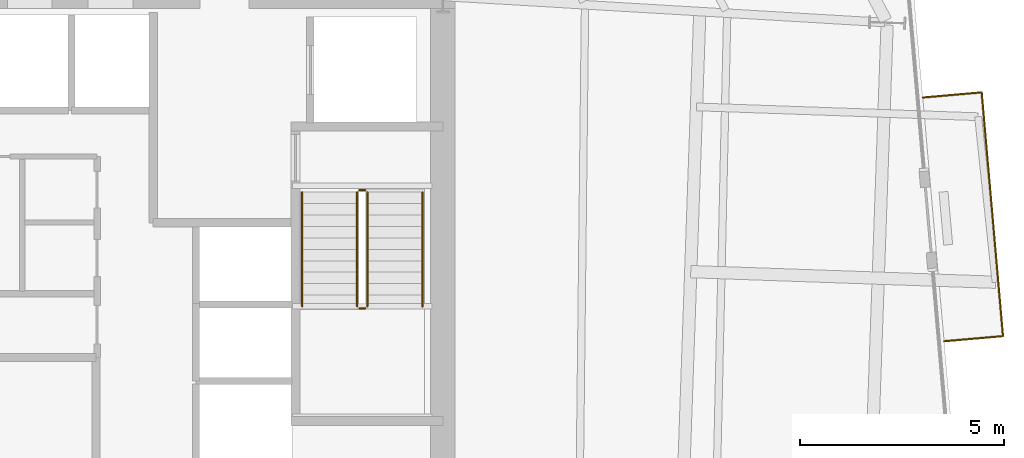
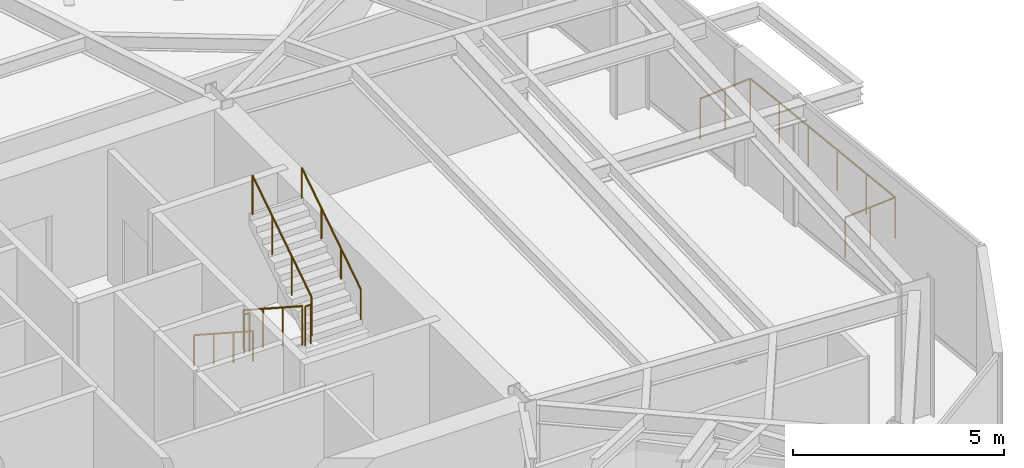
# One storey, part 12 of 13: 7 railings.
"""IFC4 building model written with IfcOpenShell, lengths in metres."""

from ifc_helpers import new_model, si_unit, direction, frame, origin, origin_2d, place, context, subcontext, project, spatial, circle, extrude, material, type_object, element, save


model = new_model("IFC4")

# Units and contexts
model_context = context("Model", 3, precision=1e-05, world=origin(), true_north=direction((0.0, 1.0)))
body_context = subcontext(model_context, "Body", "Model", "MODEL_VIEW")
ifc_project = project(units=[si_unit("LENGTHUNIT", "METRE"), si_unit("AREAUNIT", "SQUARE_METRE"), si_unit("VOLUMEUNIT", "CUBIC_METRE"), si_unit("PLANEANGLEUNIT", "RADIAN"), si_unit("MASSUNIT", "GRAM", prefix="KILO")], contexts=[model_context])

# Site, building, storey
site_placement = place(None, origin())
site = spatial("IfcSite", under=ifc_project, at=site_placement, CompositionType="ELEMENT")
building_placement = place(site_placement, origin())
building = spatial("IfcBuilding", under=site, at=building_placement, Name="Kranzbogen Civic Tower", CompositionType="ELEMENT")
storey_placement = place(building_placement, frame((0.0, 0.0, 162.39990234375)))
storey = spatial("IfcBuildingStorey", under=building, at=storey_placement, Name="L39", CompositionType="ELEMENT", Elevation=162.39990234375)

# Railings
ifc_material_1 = material(Name="Anodised Bronze Aluminium", Category="aluminium")
railing_type_1 = type_object("IfcRailingType", Name="Cantilevered Balcony Glass and Bronze Balustrade 1200", PredefinedType="BALUSTRADE", material=ifc_material_1)
railing_1_placement = place(storey_placement, frame((45.0859375, 23.74609375, 0.0)))
element("IfcRailing", 1, at=railing_1_placement, inside=storey, type_object=railing_type_1, Name="L39 exterior terrace balustrade L39-TB1", PredefinedType="BALUSTRADE", context=body_context, shape_type="SweptSolid", body=[
    extrude(circle(Radius=0.02392578125, at=origin_2d()), frame((0.0, 0.0, 1.17578125), z_axis=(0.996216534761, 0.08690578731, 0.0), x_axis=(-0.08690578731, 0.996216534761, 0.0)), (0.0, 0.0, 1.0), 1.449462890625),
    extrude(circle(Radius=0.02392578125, at=origin_2d()), frame((1.444091796875, 0.1259765625, 1.17578125), z_axis=(-0.087159883478, 0.996194335816, 0.0), x_axis=(-0.996194335816, -0.087159883478, 0.0)), (0.0, 0.0, 1.0), 6.0),
    extrude(circle(Radius=0.02392578125, at=origin_2d()), frame((0.921142578125, 6.10302734375, 1.17578125), z_axis=(-0.996201939478, -0.087072933679, 0.0), x_axis=(0.087072933679, -0.996201939478, 0.0)), (0.0, 0.0, 1.0), 1.44970703125),
    extrude(circle(Radius=0.02099609375, at=origin_2d()), origin(), (0.0, 0.0, 1.0), 1.15185546875),
    extrude(circle(Radius=0.02099609375, at=origin_2d()), frame((0.72216796875, 0.06298828125, 0.0)), (0.0, 0.0, 1.0), 1.15185546875),
    extrude(circle(Radius=0.02099609375, at=origin_2d()), frame((1.444091796875, 0.1259765625, 0.0)), (0.0, 0.0, 1.0), 1.15185546875),
    extrude(circle(Radius=0.02099609375, at=origin_2d()), frame((1.339599609375, 1.3212890625, 0.0)), (0.0, 0.0, 1.0), 1.15185546875),
    extrude(circle(Radius=0.02099609375, at=origin_2d()), frame((1.23486328125, 2.516845703125, 0.0)), (0.0, 0.0, 1.0), 1.15185546875),
    extrude(circle(Radius=0.02099609375, at=origin_2d()), frame((1.13037109375, 3.712158203125, 0.0)), (0.0, 0.0, 1.0), 1.15185546875),
    extrude(circle(Radius=0.02099609375, at=origin_2d()), frame((1.025634765625, 4.90771484375, 0.0)), (0.0, 0.0, 1.0), 1.15185546875),
    extrude(circle(Radius=0.02099609375, at=origin_2d()), frame((0.921142578125, 6.10302734375, 0.0)), (0.0, 0.0, 1.0), 1.15185546875),
    extrude(circle(Radius=0.02099609375, at=origin_2d()), frame((0.19921875, 6.0400390625, 0.0)), (0.0, 0.0, 1.0), 1.15185546875),
    extrude(circle(Radius=0.02099609375, at=origin_2d()), frame((-0.52294921875, 5.976806640625, 0.0)), (0.0, 0.0, 1.0), 1.15185546875),
])
ifc_material_2 = material(Name="Steel S355", Category="steel")
railing_type_2 = type_object("IfcRailingType", Name="Internal Stair and Void Steel Guardrail 1150", PredefinedType="GUARDRAIL", material=ifc_material_2)
railing_2_placement = place(storey_placement, frame((30.699951171875, 27.39990234375, 0.181884765625)))
element("IfcRailing", 2, at=railing_2_placement, inside=storey, type_object=railing_type_2, Name="L39 ST-T2 stair guard 1", PredefinedType="GUARDRAIL", context=body_context, shape_type="SweptSolid", body=[
    extrude(circle(Radius=0.02392578125, at=origin_2d()), frame((0.0, 0.0, 1.1259765625), z_axis=(0.0, -0.83868413941, 0.544618136222), x_axis=(1.0, 0.0, 0.0)), (0.0, 0.0, 1.0), 3.33837890625),
    extrude(circle(Radius=0.02099609375, at=origin_2d()), origin(), (0.0, 0.0, 1.0), 1.101806640625),
    extrude(circle(Radius=0.02099609375, at=origin_2d()), frame((0.0, -0.933349609375, 0.60595703125)), (0.0, 0.0, 1.0), 1.101806640625),
    extrude(circle(Radius=0.02099609375, at=origin_2d()), frame((0.0, -1.866455078125, 1.212158203125)), (0.0, 0.0, 1.0), 1.101806640625),
    extrude(circle(Radius=0.02099609375, at=origin_2d()), frame((0.0, -2.7998046875, 1.818115234375)), (0.0, 0.0, 1.0), 1.101806640625),
])
railing_3_placement = place(storey_placement, frame((30.75, 24.550048828125, 2.0)))
element("IfcRailing", 3, at=railing_3_placement, inside=storey, type_object=railing_type_2, Name="L39 ST-T2 stair guard 2", PredefinedType="GUARDRAIL", context=body_context, shape_type="SweptSolid", body=[
    extrude(circle(Radius=0.02392578125, at=origin_2d()), frame((0.0, 0.0, 1.1259765625), z_axis=(1.0, 0.0, 0.0), x_axis=(0.0, 1.0, 0.0)), (0.0, 0.0, 1.0), 0.14990234375),
    extrude(circle(Radius=0.02099609375, at=origin_2d()), origin(), (0.0, 0.0, 1.0), 1.101806640625),
    extrude(circle(Radius=0.02099609375, at=origin_2d()), frame((0.14990234375, 0.0, 0.0)), (0.0, 0.0, 1.0), 1.101806640625),
])
railing_4_placement = place(storey_placement, frame((30.949951171875, 24.60009765625, 2.181884765625)))
element("IfcRailing", 4, at=railing_4_placement, inside=storey, type_object=railing_type_2, Name="L39 ST-T2 stair guard 3", PredefinedType="GUARDRAIL", context=body_context, shape_type="SweptSolid", body=[
    extrude(circle(Radius=0.02392578125, at=origin_2d()), frame((0.0, 0.0, 1.1259765625), z_axis=(0.0, 0.83868413941, 0.544618136222), x_axis=(-1.0, 0.0, 0.0)), (0.0, 0.0, 1.0), 3.33837890625),
    extrude(circle(Radius=0.02099609375, at=origin_2d()), origin(), (0.0, 0.0, 1.0), 1.101806640625),
    extrude(circle(Radius=0.02099609375, at=origin_2d()), frame((0.0, 0.933349609375, 0.60595703125)), (0.0, 0.0, 1.0), 1.101806640625),
    extrude(circle(Radius=0.02099609375, at=origin_2d()), frame((0.0, 1.866455078125, 1.212158203125)), (0.0, 0.0, 1.0), 1.101806640625),
    extrude(circle(Radius=0.02099609375, at=origin_2d()), frame((0.0, 2.7998046875, 1.818115234375)), (0.0, 0.0, 1.0), 1.101806640625),
])
railing_5_placement = place(storey_placement, frame((30.75, 27.449951171875, 0.0)))
element("IfcRailing", 5, at=railing_5_placement, inside=storey, type_object=railing_type_2, Name="L39 ST-T2 stair guard 4", PredefinedType="GUARDRAIL", context=body_context, shape_type="SweptSolid", body=[
    extrude(circle(Radius=0.02392578125, at=origin_2d()), frame((0.0, 0.0, 1.1259765625), z_axis=(1.0, 0.0, 0.0), x_axis=(0.0, 1.0, 0.0)), (0.0, 0.0, 1.0), 0.14990234375),
    extrude(circle(Radius=0.02099609375, at=origin_2d()), origin(), (0.0, 0.0, 1.0), 1.101806640625),
    extrude(circle(Radius=0.02099609375, at=origin_2d()), frame((0.14990234375, 0.0, 0.0)), (0.0, 0.0, 1.0), 1.101806640625),
])
ifc_material_3 = material(Name="Pale Anodised Aluminium", Category="aluminium")
railing_type_3 = type_object("IfcRailingType", Name="Tubular Stainless Stair Wall Handrail 900", PredefinedType="HANDRAIL", material=ifc_material_3)
railing_6_placement = place(storey_placement, frame((29.35009765625, 27.39990234375, 0.181884765625)))
element("IfcRailing", 6, at=railing_6_placement, inside=storey, type_object=railing_type_3, Name="L39 ST-T2 stair handrail 1", PredefinedType="HANDRAIL", context=body_context, shape_type="SweptSolid", body=[
    extrude(circle(Radius=0.02392578125, at=origin_2d()), frame((0.0, 0.0, 0.8759765625), z_axis=(0.0, -0.83868413941, 0.544618136222), x_axis=(1.0, 0.0, 0.0)), (0.0, 0.0, 1.0), 3.33837890625),
    extrude(circle(Radius=0.02099609375, at=origin_2d()), origin(), (0.0, 0.0, 1.0), 0.851806640625),
    extrude(circle(Radius=0.02099609375, at=origin_2d()), frame((0.0, -0.933349609375, 0.60595703125)), (0.0, 0.0, 1.0), 0.851806640625),
    extrude(circle(Radius=0.02099609375, at=origin_2d()), frame((0.0, -1.866455078125, 1.212158203125)), (0.0, 0.0, 1.0), 0.851806640625),
    extrude(circle(Radius=0.02099609375, at=origin_2d()), frame((0.0, -2.7998046875, 1.818115234375)), (0.0, 0.0, 1.0), 0.851806640625),
])
railing_7_placement = place(storey_placement, frame((32.300048828125, 24.60009765625, 2.181884765625)))
element("IfcRailing", 7, at=railing_7_placement, inside=storey, type_object=railing_type_3, Name="L39 ST-T2 stair handrail 2", PredefinedType="HANDRAIL", context=body_context, shape_type="SweptSolid", body=[
    extrude(circle(Radius=0.02392578125, at=origin_2d()), frame((0.0, 0.0, 0.8759765625), z_axis=(0.0, 0.83868413941, 0.544618136222), x_axis=(-1.0, 0.0, 0.0)), (0.0, 0.0, 1.0), 3.33837890625),
    extrude(circle(Radius=0.02099609375, at=origin_2d()), origin(), (0.0, 0.0, 1.0), 0.851806640625),
    extrude(circle(Radius=0.02099609375, at=origin_2d()), frame((0.0, 0.933349609375, 0.60595703125)), (0.0, 0.0, 1.0), 0.851806640625),
    extrude(circle(Radius=0.02099609375, at=origin_2d()), frame((0.0, 1.866455078125, 1.212158203125)), (0.0, 0.0, 1.0), 0.851806640625),
    extrude(circle(Radius=0.02099609375, at=origin_2d()), frame((0.0, 2.7998046875, 1.818115234375)), (0.0, 0.0, 1.0), 0.851806640625),
])

save(model, "model.ifc")
